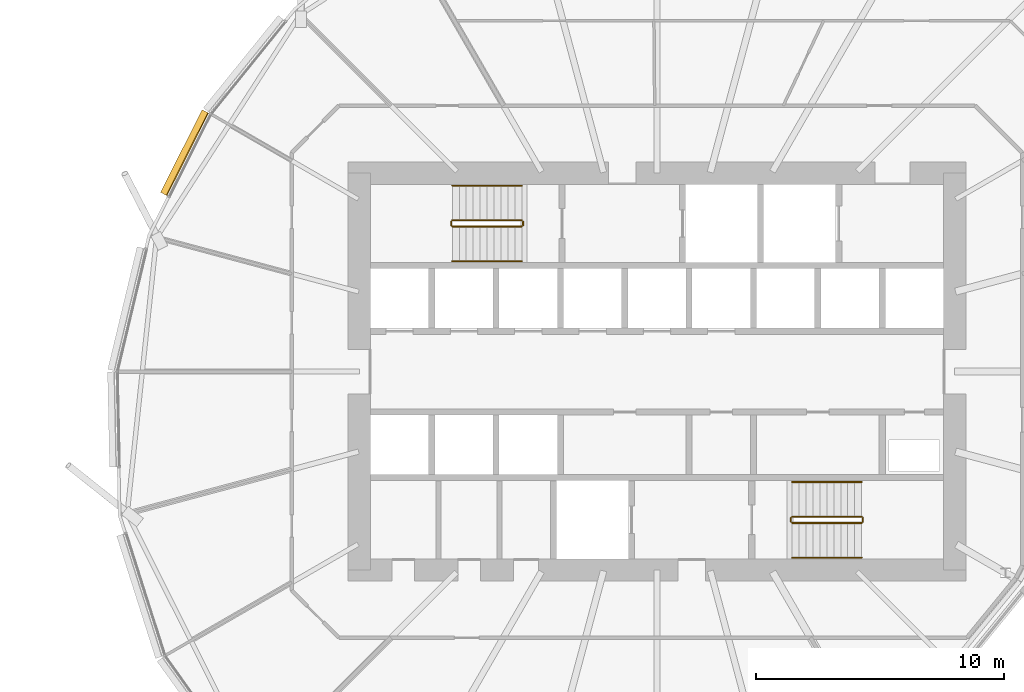
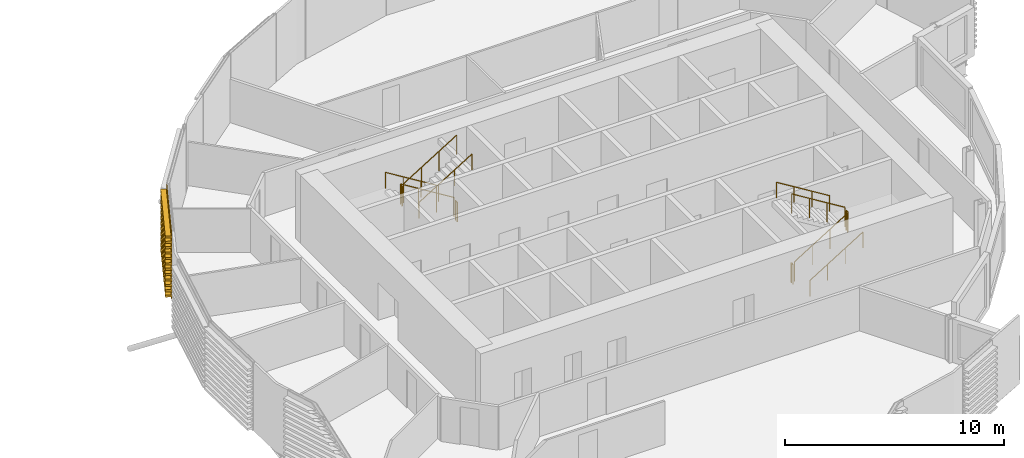
# One storey, part 36 of 37: 12 railings, 1 covering.
"""IFC4 building model written with IfcOpenShell, lengths in metres."""

from ifc_helpers import new_model, si_unit, direction, frame, origin, origin_2d, place, context, subcontext, project, spatial, polyline, circle, outline, extrude, material, material_profile, profile_set, type_object, element, save


model = new_model("IFC4")

# Units and contexts
model_context = context("Model", 3, precision=1e-05, world=origin(), true_north=direction((0.0, 1.0)))
body_context = subcontext(model_context, "Body", "Model", "MODEL_VIEW")
ifc_project = project(units=[si_unit("LENGTHUNIT", "METRE"), si_unit("AREAUNIT", "SQUARE_METRE"), si_unit("VOLUMEUNIT", "CUBIC_METRE"), si_unit("PLANEANGLEUNIT", "RADIAN"), si_unit("MASSUNIT", "GRAM", prefix="KILO")], contexts=[model_context])

# Site, building, storey
site_placement = place(None, origin())
site = spatial("IfcSite", under=ifc_project, at=site_placement, CompositionType="ELEMENT")
building_placement = place(site_placement, origin())
building = spatial("IfcBuilding", under=site, at=building_placement, Name="Rimbun Link Towers", CompositionType="ELEMENT")
storey_placement = place(building_placement, frame((0.0, 0.0, 60.39990234375)))
storey = spatial("IfcBuildingStorey", under=building, at=storey_placement, Name="L14", CompositionType="ELEMENT", Elevation=60.39990234375)

# Railings
ifc_material_1 = material(Name="Stainless steel grade 316", Category="steel")
railing_type_1 = type_object("IfcRailingType", Name="Stair guard", PredefinedType="GUARDRAIL", material=ifc_material_1)
railing_1_placement = place(storey_placement, frame((26.300048828125, 6.10009765625, 0.1728515625)))
element("IfcRailing", 1, at=railing_1_placement, inside=storey, type_object=railing_type_1, Name="L14 ST3 stair guard 1", PredefinedType="GUARDRAIL", context=body_context, shape_type="SweptSolid", body=[
    extrude(circle(Radius=0.02392578125, at=origin_2d()), frame((0.0, 0.0, 1.076171875), z_axis=(-0.851089632645, 0.0, 0.525020415988), x_axis=(0.0, -1.0, 0.0)), (0.0, 0.0, 1.0), 3.2900390625),
    extrude(circle(Radius=0.02099609375, at=origin_2d()), origin(), (0.0, 0.0, 1.0), 1.052001953125),
    extrude(circle(Radius=0.02099609375, at=origin_2d()), frame((-0.933349609375, 0.0, 0.57568359375)), (0.0, 0.0, 1.0), 1.052001953125),
    extrude(circle(Radius=0.02099609375, at=origin_2d()), frame((-1.86669921875, 0.0, 1.151611328125)), (0.0, 0.0, 1.0), 1.052001953125),
    extrude(circle(Radius=0.02099609375, at=origin_2d()), frame((-2.800048828125, 0.0, 1.727294921875)), (0.0, 0.0, 1.0), 1.052001953125),
])
railing_2_placement = place(storey_placement, frame((23.449951171875, 6.050048828125, 1.900146484375)))
element("IfcRailing", 2, at=railing_2_placement, inside=storey, type_object=railing_type_1, Name="L14 ST3 stair guard 2", PredefinedType="GUARDRAIL", context=body_context, shape_type="SweptSolid", body=[
    extrude(circle(Radius=0.02392578125, at=origin_2d()), frame((0.0, 0.0, 1.076171875), z_axis=(0.0, -1.0, 0.0), x_axis=(1.0, 0.0, 0.0)), (0.0, 0.0, 1.0), 0.150146484375),
    extrude(circle(Radius=0.02099609375, at=origin_2d()), origin(), (0.0, 0.0, 1.0), 1.052001953125),
    extrude(circle(Radius=0.02099609375, at=origin_2d()), frame((0.0, -0.150146484375, 0.0)), (0.0, 0.0, 1.0), 1.052001953125),
])
railing_3_placement = place(storey_placement, frame((23.5, 5.85009765625, 2.07275390625)))
element("IfcRailing", 3, at=railing_3_placement, inside=storey, type_object=railing_type_1, Name="L14 ST3 stair guard 3", PredefinedType="GUARDRAIL", context=body_context, shape_type="SweptSolid", body=[
    extrude(circle(Radius=0.02392578125, at=origin_2d()), frame((0.0, 0.0, 1.076171875), z_axis=(0.851089632645, 0.0, 0.525020415988), x_axis=(0.0, 1.0, 0.0)), (0.0, 0.0, 1.0), 3.2900390625),
    extrude(circle(Radius=0.02099609375, at=origin_2d()), origin(), (0.0, 0.0, 1.0), 1.052001953125),
    extrude(circle(Radius=0.02099609375, at=origin_2d()), frame((0.933349609375, 0.0, 0.57568359375)), (0.0, 0.0, 1.0), 1.052001953125),
    extrude(circle(Radius=0.02099609375, at=origin_2d()), frame((1.86669921875, 0.0, 1.151611328125)), (0.0, 0.0, 1.0), 1.052001953125),
    extrude(circle(Radius=0.02099609375, at=origin_2d()), frame((2.800048828125, 0.0, 1.727294921875)), (0.0, 0.0, 1.0), 1.052001953125),
])
railing_4_placement = place(storey_placement, frame((26.35009765625, 6.050048828125, 0.0)))
element("IfcRailing", 4, at=railing_4_placement, inside=storey, type_object=railing_type_1, Name="L14 ST3 stair guard 4", PredefinedType="GUARDRAIL", context=body_context, shape_type="SweptSolid", body=[
    extrude(circle(Radius=0.02392578125, at=origin_2d()), frame((0.0, 0.0, 1.076171875), z_axis=(0.0, -1.0, 0.0), x_axis=(1.0, 0.0, 0.0)), (0.0, 0.0, 1.0), 0.150146484375),
    extrude(circle(Radius=0.02099609375, at=origin_2d()), origin(), (0.0, 0.0, 1.0), 1.052001953125),
    extrude(circle(Radius=0.02099609375, at=origin_2d()), frame((0.0, -0.150146484375, 0.0)), (0.0, 0.0, 1.0), 1.052001953125),
])
railing_5_placement = place(storey_placement, frame((37.199951171875, -6.10009765625, 0.1728515625)))
element("IfcRailing", 5, at=railing_5_placement, inside=storey, type_object=railing_type_1, Name="L14 ST4 stair guard 1", PredefinedType="GUARDRAIL", context=body_context, shape_type="SweptSolid", body=[
    extrude(circle(Radius=0.02392578125, at=origin_2d()), frame((0.0, 0.0, 1.076171875), z_axis=(0.851089632645, 0.0, 0.525020415988), x_axis=(0.0, 1.0, 0.0)), (0.0, 0.0, 1.0), 3.2900390625),
    extrude(circle(Radius=0.02099609375, at=origin_2d()), origin(), (0.0, 0.0, 1.0), 1.052001953125),
    extrude(circle(Radius=0.02099609375, at=origin_2d()), frame((0.933349609375, 0.0, 0.57568359375)), (0.0, 0.0, 1.0), 1.052001953125),
    extrude(circle(Radius=0.02099609375, at=origin_2d()), frame((1.86669921875, 0.0, 1.151611328125)), (0.0, 0.0, 1.0), 1.052001953125),
    extrude(circle(Radius=0.02099609375, at=origin_2d()), frame((2.800048828125, 0.0, 1.727294921875)), (0.0, 0.0, 1.0), 1.052001953125),
])
railing_6_placement = place(storey_placement, frame((40.050048828125, -6.050048828125, 1.900146484375)))
element("IfcRailing", 6, at=railing_6_placement, inside=storey, type_object=railing_type_1, Name="L14 ST4 stair guard 2", PredefinedType="GUARDRAIL", context=body_context, shape_type="SweptSolid", body=[
    extrude(circle(Radius=0.02392578125, at=origin_2d()), frame((0.0, 0.0, 1.076171875), z_axis=(0.0, 1.0, 0.0), x_axis=(-1.0, 0.0, 0.0)), (0.0, 0.0, 1.0), 0.150146484375),
    extrude(circle(Radius=0.02099609375, at=origin_2d()), origin(), (0.0, 0.0, 1.0), 1.052001953125),
    extrude(circle(Radius=0.02099609375, at=origin_2d()), frame((0.0, 0.150146484375, 0.0)), (0.0, 0.0, 1.0), 1.052001953125),
])
railing_7_placement = place(storey_placement, frame((40.0, -5.85009765625, 2.07275390625)))
element("IfcRailing", 7, at=railing_7_placement, inside=storey, type_object=railing_type_1, Name="L14 ST4 stair guard 3", PredefinedType="GUARDRAIL", context=body_context, shape_type="SweptSolid", body=[
    extrude(circle(Radius=0.02392578125, at=origin_2d()), frame((0.0, 0.0, 1.076171875), z_axis=(-0.851089632645, 0.0, 0.525020415988), x_axis=(0.0, -1.0, 0.0)), (0.0, 0.0, 1.0), 3.2900390625),
    extrude(circle(Radius=0.02099609375, at=origin_2d()), origin(), (0.0, 0.0, 1.0), 1.052001953125),
    extrude(circle(Radius=0.02099609375, at=origin_2d()), frame((-0.933349609375, 0.0, 0.57568359375)), (0.0, 0.0, 1.0), 1.052001953125),
    extrude(circle(Radius=0.02099609375, at=origin_2d()), frame((-1.86669921875, 0.0, 1.151611328125)), (0.0, 0.0, 1.0), 1.052001953125),
    extrude(circle(Radius=0.02099609375, at=origin_2d()), frame((-2.800048828125, 0.0, 1.727294921875)), (0.0, 0.0, 1.0), 1.052001953125),
])
railing_8_placement = place(storey_placement, frame((37.14990234375, -6.050048828125, 0.0)))
element("IfcRailing", 8, at=railing_8_placement, inside=storey, type_object=railing_type_1, Name="L14 ST4 stair guard 4", PredefinedType="GUARDRAIL", context=body_context, shape_type="SweptSolid", body=[
    extrude(circle(Radius=0.02392578125, at=origin_2d()), frame((0.0, 0.0, 1.076171875), z_axis=(0.0, 1.0, 0.0), x_axis=(-1.0, 0.0, 0.0)), (0.0, 0.0, 1.0), 0.150146484375),
    extrude(circle(Radius=0.02099609375, at=origin_2d()), origin(), (0.0, 0.0, 1.0), 1.052001953125),
    extrude(circle(Radius=0.02099609375, at=origin_2d()), frame((0.0, 0.150146484375, 0.0)), (0.0, 0.0, 1.0), 1.052001953125),
])
ifc_material_2 = material(Name="Stainless steel grade 316", Category="steel")
railing_type_2 = type_object("IfcRailingType", Name="Stair handrail", PredefinedType="HANDRAIL", material=ifc_material_2)
railing_9_placement = place(storey_placement, frame((26.300048828125, 7.5, 0.1728515625)))
element("IfcRailing", 9, at=railing_9_placement, inside=storey, type_object=railing_type_2, Name="L14 ST3 stair handrail 1", PredefinedType="HANDRAIL", context=body_context, shape_type="SweptSolid", body=[
    extrude(circle(Radius=0.02392578125, at=origin_2d()), frame((0.0, 0.0, 0.8759765625), z_axis=(-0.851089632645, 0.0, 0.525020415988), x_axis=(0.0, -1.0, 0.0)), (0.0, 0.0, 1.0), 3.2900390625),
    extrude(circle(Radius=0.02099609375, at=origin_2d()), origin(), (0.0, 0.0, 1.0), 0.851806640625),
    extrude(circle(Radius=0.02099609375, at=origin_2d()), frame((-0.933349609375, 0.0, 0.57568359375)), (0.0, 0.0, 1.0), 0.851806640625),
    extrude(circle(Radius=0.02099609375, at=origin_2d()), frame((-1.86669921875, 0.0, 1.151611328125)), (0.0, 0.0, 1.0), 0.851806640625),
    extrude(circle(Radius=0.02099609375, at=origin_2d()), frame((-2.800048828125, 0.0, 1.727294921875)), (0.0, 0.0, 1.0), 0.851806640625),
])
for number, where, name in (
    (10, (23.5, 4.449951171875, 2.07275390625), "L14 ST3 stair handrail 2"),
    (11, (37.199951171875, -7.5, 0.1728515625), "L14 ST4 stair handrail 1"),
):
    element("IfcRailing", number, at=place(storey_placement, frame(where)), inside=storey, type_object=railing_type_2, Name=name, PredefinedType="HANDRAIL", context=body_context, shape_type="SweptSolid", body=[
        extrude(circle(Radius=0.02392578125, at=origin_2d()), frame((0.0, 0.0, 0.8759765625), z_axis=(0.851089632645, 0.0, 0.525020415988), x_axis=(0.0, 1.0, 0.0)), (0.0, 0.0, 1.0), 3.2900390625),
        extrude(circle(Radius=0.02099609375, at=origin_2d()), origin(), (0.0, 0.0, 1.0), 0.851806640625),
        extrude(circle(Radius=0.02099609375, at=origin_2d()), frame((0.933349609375, 0.0, 0.57568359375)), (0.0, 0.0, 1.0), 0.851806640625),
        extrude(circle(Radius=0.02099609375, at=origin_2d()), frame((1.86669921875, 0.0, 1.151611328125)), (0.0, 0.0, 1.0), 0.851806640625),
        extrude(circle(Radius=0.02099609375, at=origin_2d()), frame((2.800048828125, 0.0, 1.727294921875)), (0.0, 0.0, 1.0), 0.851806640625),
    ])
railing_10_placement = place(storey_placement, frame((40.0, -4.449951171875, 2.07275390625)))
element("IfcRailing", 12, at=railing_10_placement, inside=storey, type_object=railing_type_2, Name="L14 ST4 stair handrail 2", PredefinedType="HANDRAIL", context=body_context, shape_type="SweptSolid", body=[
    extrude(circle(Radius=0.02392578125, at=origin_2d()), frame((0.0, 0.0, 0.8759765625), z_axis=(-0.851089632645, 0.0, 0.525020415988), x_axis=(0.0, -1.0, 0.0)), (0.0, 0.0, 1.0), 3.2900390625),
    extrude(circle(Radius=0.02099609375, at=origin_2d()), origin(), (0.0, 0.0, 1.0), 0.851806640625),
    extrude(circle(Radius=0.02099609375, at=origin_2d()), frame((-0.933349609375, 0.0, 0.57568359375)), (0.0, 0.0, 1.0), 0.851806640625),
    extrude(circle(Radius=0.02099609375, at=origin_2d()), frame((-1.86669921875, 0.0, 1.151611328125)), (0.0, 0.0, 1.0), 0.851806640625),
    extrude(circle(Radius=0.02099609375, at=origin_2d()), frame((-2.800048828125, 0.0, 1.727294921875)), (0.0, 0.0, 1.0), 0.851806640625),
])

# Covering
ifc_material_3 = material(Name="Terracotta", Category="masonry")
ifc_material_profile = material_profile(ifc_material_3, outline(polyline([(0.123046875, 0.0), (0.1630859375, 0.0), (0.1630859375, 0.10009765625), (0.423095703125, 0.10009765625), (0.423095703125, 0.219970703125), (0.1630859375, 0.219970703125), (0.1630859375, 0.39990234375), (0.423095703125, 0.39990234375), (0.423095703125, 0.52001953125), (0.1630859375, 0.52001953125), (0.1630859375, 0.699951171875), (0.423095703125, 0.699951171875), (0.423095703125, 0.820068359375), (0.1630859375, 0.820068359375), (0.1630859375, 1.0), (0.423095703125, 1.0), (0.423095703125, 1.1201171875), (0.1630859375, 1.1201171875), (0.1630859375, 1.300048828125), (0.423095703125, 1.300048828125), (0.423095703125, 1.419921875), (0.1630859375, 1.419921875), (0.1630859375, 1.60009765625), (0.423095703125, 1.60009765625), (0.423095703125, 1.719970703125), (0.1630859375, 1.719970703125), (0.1630859375, 1.89990234375), (0.423095703125, 1.89990234375), (0.423095703125, 2.02001953125), (0.1630859375, 2.02001953125), (0.1630859375, 2.199951171875), (0.423095703125, 2.199951171875), (0.423095703125, 2.320068359375), (0.1630859375, 2.320068359375), (0.1630859375, 2.5), (0.423095703125, 2.5), (0.423095703125, 2.6201171875), (0.1630859375, 2.6201171875), (0.1630859375, 2.800048828125), (0.423095703125, 2.800048828125), (0.423095703125, 2.919921875), (0.1630859375, 2.919921875), (0.1630859375, 3.10009765625), (0.423095703125, 3.10009765625), (0.423095703125, 3.219970703125), (0.1630859375, 3.219970703125), (0.1630859375, 3.39990234375), (0.423095703125, 3.39990234375), (0.423095703125, 3.52001953125), (0.1630859375, 3.52001953125), (0.1630859375, 3.800048828125), (0.123046875, 3.800048828125), (0.123046875, 0.0)])), Name="BAGUETTE 120X300")
ifc_profile_set = profile_set([ifc_material_profile], Name="Terracotta")
covering_type = type_object("IfcCoveringType", Name="TERRACOTTA BAGUETTE 120X300 H3800", PredefinedType="CLADDING", material=ifc_profile_set)
covering_placement = place(storey_placement, frame((12.11376953125, 7.035888671875, 0.0), z_axis=(0.448809464282, 0.89362747539, 0.0), x_axis=(-0.89362747539, 0.448809464282, 0.0)))
element("IfcCovering", 13, at=covering_placement, inside=storey, type_object=covering_type, Name="TERRACOTTA BAGUETTE", PredefinedType="CLADDING", context=body_context, shape_type="SweptSolid", body=[
    extrude(outline(polyline([(0.123046875, 0.0), (0.1630859375, 0.0), (0.1630859375, 0.10009765625), (0.423095703125, 0.10009765625), (0.423095703125, 0.219970703125), (0.1630859375, 0.219970703125), (0.1630859375, 0.39990234375), (0.423095703125, 0.39990234375), (0.423095703125, 0.52001953125), (0.1630859375, 0.52001953125), (0.1630859375, 0.699951171875), (0.423095703125, 0.699951171875), (0.423095703125, 0.820068359375), (0.1630859375, 0.820068359375), (0.1630859375, 1.0), (0.423095703125, 1.0), (0.423095703125, 1.1201171875), (0.1630859375, 1.1201171875), (0.1630859375, 1.300048828125), (0.423095703125, 1.300048828125), (0.423095703125, 1.419921875), (0.1630859375, 1.419921875), (0.1630859375, 1.60009765625), (0.423095703125, 1.60009765625), (0.423095703125, 1.719970703125), (0.1630859375, 1.719970703125), (0.1630859375, 1.89990234375), (0.423095703125, 1.89990234375), (0.423095703125, 2.02001953125), (0.1630859375, 2.02001953125), (0.1630859375, 2.199951171875), (0.423095703125, 2.199951171875), (0.423095703125, 2.320068359375), (0.1630859375, 2.320068359375), (0.1630859375, 2.5), (0.423095703125, 2.5), (0.423095703125, 2.6201171875), (0.1630859375, 2.6201171875), (0.1630859375, 2.800048828125), (0.423095703125, 2.800048828125), (0.423095703125, 2.919921875), (0.1630859375, 2.919921875), (0.1630859375, 3.10009765625), (0.423095703125, 3.10009765625), (0.423095703125, 3.219970703125), (0.1630859375, 3.219970703125), (0.1630859375, 3.39990234375), (0.423095703125, 3.39990234375), (0.423095703125, 3.52001953125), (0.1630859375, 3.52001953125), (0.1630859375, 3.800048828125), (0.123046875, 3.800048828125), (0.123046875, 0.0)])), origin(), (0.0, 0.0, 1.0), 3.731201171875),
])

save(model, "model.ifc")
